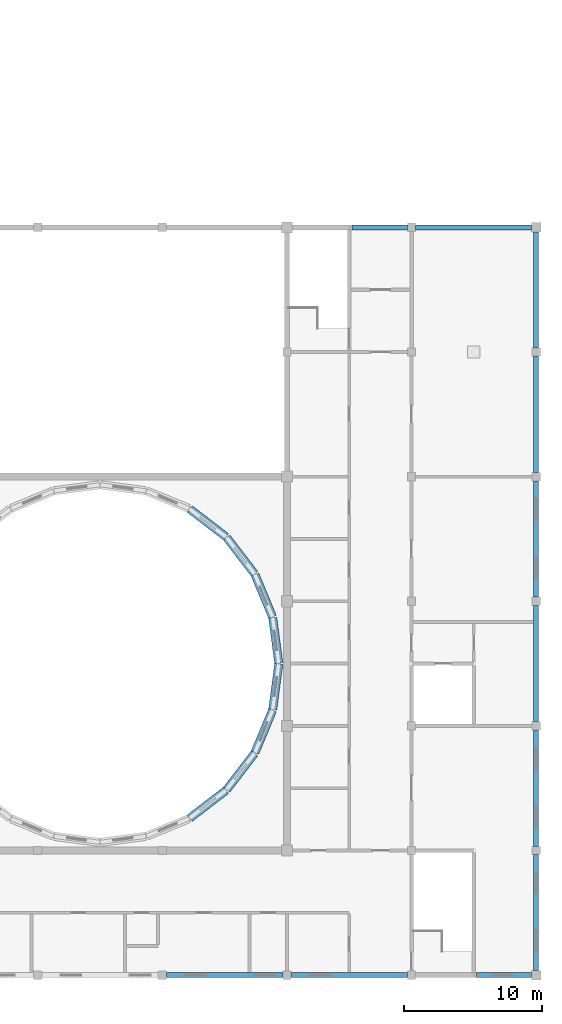
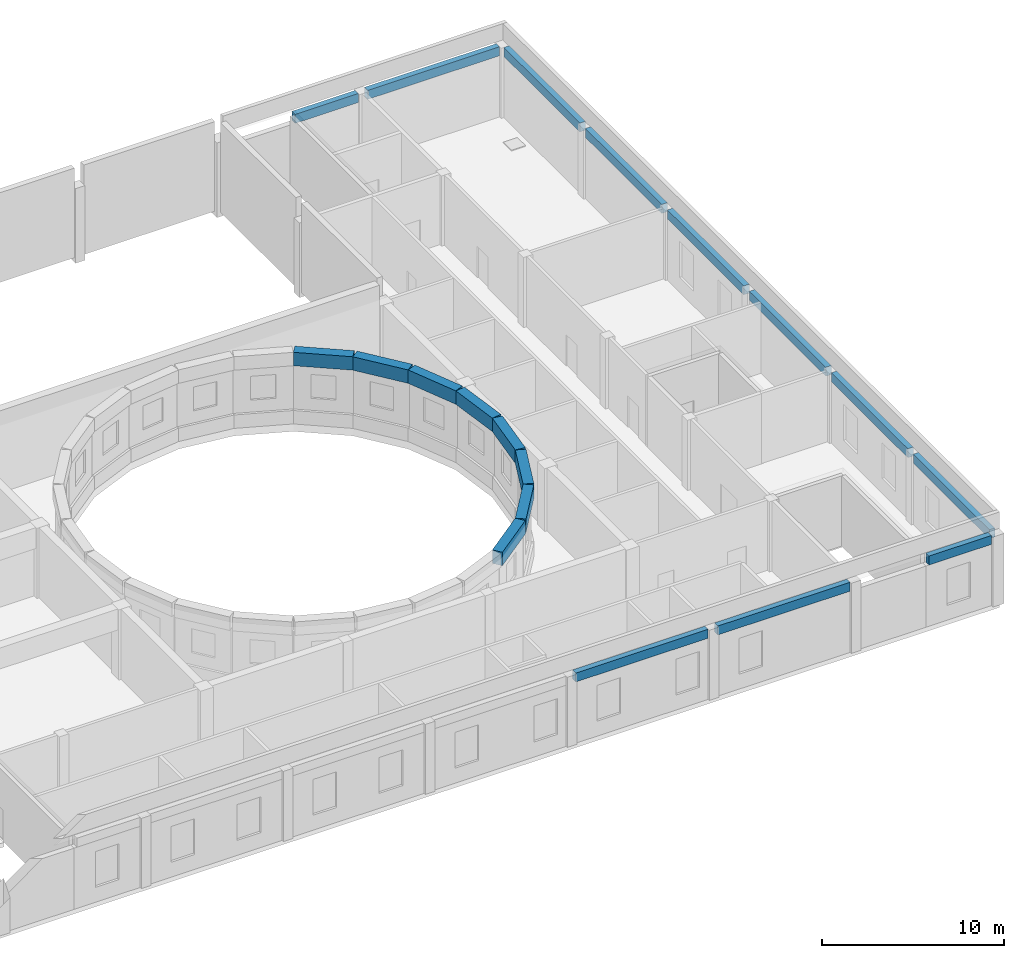
# One storey, part 12 of 35: 19 beams.
"""IFC4 building model written with IfcOpenShell, lengths in metres."""

from ifc_helpers import new_model, si_unit, direction, frame, origin, origin_2d, place, context, subcontext, project, spatial, rectangle, extrude, material, material_profile, profile_set, type_object, element, save


model = new_model("IFC4")

# Units and contexts
model_context = context("Model", 3, precision=1e-05, world=origin(), true_north=direction((0.0, 1.0)))
body_context = subcontext(model_context, "Body", "Model", "MODEL_VIEW")
ifc_project = project(units=[si_unit("LENGTHUNIT", "METRE"), si_unit("AREAUNIT", "SQUARE_METRE"), si_unit("VOLUMEUNIT", "CUBIC_METRE"), si_unit("PLANEANGLEUNIT", "RADIAN"), si_unit("MASSUNIT", "GRAM", prefix="KILO")], contexts=[model_context])

# Site, building, storey
site_placement = place(None, origin())
site = spatial("IfcSite", under=ifc_project, at=site_placement, CompositionType="ELEMENT")
building_placement = place(site_placement, origin())
building = spatial("IfcBuilding", under=site, at=building_placement, Name="Firuza Court", CompositionType="ELEMENT")
storey_placement = place(building_placement, frame((0.0, 0.0, 24.0)))
storey = spatial("IfcBuildingStorey", under=building, at=storey_placement, Name="L04", CompositionType="ELEMENT", Elevation=24.0)

# Beams
ifc_material_1 = material(Name="Concrete C40/50", Category="concrete")
ifc_material_profile_1 = material_profile(ifc_material_1, rectangle(XDim=0.60009765625, YDim=0.89990234375, at=origin_2d()), Name="RC 600X900 RING")
ifc_profile_set_1 = profile_set([ifc_material_profile_1], Name="Concrete C40/50")
beam_type_1 = type_object("IfcBeamType", Name="RC DRUM RING BEAM 600X900", PredefinedType="BEAM", material=ifc_profile_set_1)
for number, where, z_axis, x_axis, name in (
    (1, (134.4052734375, 13.5390625, 4.85009765625), (-0.130550451475, 0.99144166728, 0.0), (-0.99144166728, -0.130550451475, 0.0), "Drum ring beam 1"),
    (2, (133.955322265625, 16.8779296875, 4.85009765625), (-0.382681538037, 0.923880317165, 0.0), (-0.923880317165, -0.382681538037, 0.0), "Drum ring beam 2"),
    (3, (132.65673828125, 19.986572265625, 4.85009765625), (-0.608781872031, 0.79333765339, 0.0), (-0.79333765339, -0.608781872031, 0.0), "Drum ring beam 3"),
    (4, (130.59765625, 22.653076171875, 4.85009765625), (-0.79333765339, 0.608781872031, 0.0), (-0.608781872031, -0.79333765339, 0.0), "Drum ring beam 4"),
    (5, (127.986572265625, 2.34326171875, 4.85009765625), (0.79333765339, 0.608781872031, 0.0), (-0.608781872031, 0.79333765339, 0.0), "Drum ring beam 21"),
    (6, (130.653076171875, 4.40234375, 4.85009765625), (0.608781872031, 0.79333765339, 0.0), (-0.79333765339, 0.608781872031, 0.0), "Drum ring beam 22"),
    (7, (132.69580078125, 7.081298828125, 4.85009765625), (0.382681538037, 0.923880317165, 0.0), (-0.923880317165, 0.382681538037, 0.0), "Drum ring beam 23"),
    (8, (133.9755859375, 10.19775390625, 4.85009765625), (0.130550451475, 0.99144166728, 0.0), (-0.99144166728, 0.130550451475, 0.0), "Drum ring beam 24"),
):
    element("IfcBeam", number, at=place(storey_placement, frame(where, z_axis=z_axis, x_axis=x_axis)), inside=storey, type_object=beam_type_1, Name=name, PredefinedType="BEAM", context=body_context, shape_type="SweptSolid", body=[
        extrude(rectangle(XDim=0.60009765625, YDim=0.89990234375, at=origin_2d()), origin(), (0.0, 0.0, 1.0), 3.291259765625),
    ])
ifc_material_2 = material(Name="Concrete C40/50", Category="concrete")
ifc_material_profile_2 = material_profile(ifc_material_2, rectangle(XDim=0.35009765625, YDim=0.60009765625, at=origin_2d()), Name="RC 350X600")
ifc_profile_set_2 = profile_set([ifc_material_profile_2], Name="Concrete C40/50")
beam_type_2 = type_object("IfcBeamType", Name="RC RING BEAM 350X600", PredefinedType="BEAM", material=ifc_profile_set_2)
for number, where, z_axis, x_axis, name in (
    (9, (126.300048828125, -9.0, 4.39990234375), (1.0, 0.0, 0.0), (0.0, 1.0, 0.0), "Edge beam S2.1 L04"),
    (10, (135.300048828125, -9.0, 4.39990234375), (1.0, 0.0, 0.0), (0.0, 1.0, 0.0), "Edge beam S4.1 L04"),
):
    element("IfcBeam", number, at=place(storey_placement, frame(where, z_axis=z_axis, x_axis=x_axis)), inside=storey, type_object=beam_type_2, Name=name, PredefinedType="BEAM", context=body_context, shape_type="SweptSolid", body=[
        extrude(rectangle(XDim=0.35009765625, YDim=0.60009765625, at=origin_2d()), origin(), (0.0, 0.0, 1.0), 8.39990234375),
    ])
beam_1_placement = place(storey_placement, frame((139.699951171875, 45.0, 4.39990234375), z_axis=(1.0, 0.0, 0.0), x_axis=(0.0, 1.0, 0.0)))
element("IfcBeam", 11, at=beam_1_placement, inside=storey, type_object=beam_type_2, Name="Edge beam N5.1 L04", PredefinedType="BEAM", context=body_context, shape_type="SweptSolid", body=[
    extrude(rectangle(XDim=0.35009765625, YDim=0.60009765625, at=origin_2d()), origin(), (0.0, 0.0, 1.0), 4.0),
])
beam_2_placement = place(storey_placement, frame((148.699951171875, -9.0, 4.39990234375), z_axis=(1.0, 0.0, 0.0), x_axis=(0.0, 1.0, 0.0)))
element("IfcBeam", 12, at=beam_2_placement, inside=storey, type_object=beam_type_2, Name="Edge beam S6.1 L04", PredefinedType="BEAM", context=body_context, shape_type="SweptSolid", body=[
    extrude(rectangle(XDim=0.35009765625, YDim=0.60009765625, at=origin_2d()), origin(), (0.0, 0.0, 1.0), 3.949951171875),
])
for number, where, z_axis, x_axis, name in (
    (13, (144.300048828125, 45.0, 4.39990234375), (1.0, 0.0, 0.0), (0.0, 1.0, 0.0), "Edge beam N7.1 L04"),
    (14, (153.0, -8.64990234375, 4.39990234375), (0.0, 1.0, 0.0), (-1.0, 0.0, 0.0), "Edge beam E2.1 L04"),
):
    element("IfcBeam", number, at=place(storey_placement, frame(where, z_axis=z_axis, x_axis=x_axis)), inside=storey, type_object=beam_type_2, Name=name, PredefinedType="BEAM", context=body_context, shape_type="SweptSolid", body=[
        extrude(rectangle(XDim=0.35009765625, YDim=0.60009765625, at=origin_2d()), origin(), (0.0, 0.0, 1.0), 8.349853515625),
    ])
for number, where, z_axis, x_axis, name in (
    (15, (153.0, 0.300048828125, 4.39990234375), (0.0, 1.0, 0.0), (-1.0, 0.0, 0.0), "Edge beam E4.1 L04"),
    (16, (153.0, 9.300048828125, 4.39990234375), (0.0, 1.0, 0.0), (-1.0, 0.0, 0.0), "Edge beam E6.1 L04"),
    (17, (153.0, 18.300048828125, 4.39990234375), (0.0, 1.0, 0.0), (-1.0, 0.0, 0.0), "Edge beam E1.1 L04"),
    (18, (153.0, 27.300048828125, 4.39990234375), (0.0, 1.0, 0.0), (-1.0, 0.0, 0.0), "Edge beam E3.1 L04"),
):
    element("IfcBeam", number, at=place(storey_placement, frame(where, z_axis=z_axis, x_axis=x_axis)), inside=storey, type_object=beam_type_2, Name=name, PredefinedType="BEAM", context=body_context, shape_type="SweptSolid", body=[
        extrude(rectangle(XDim=0.35009765625, YDim=0.60009765625, at=origin_2d()), origin(), (0.0, 0.0, 1.0), 8.39990234375),
    ])
beam_3_placement = place(storey_placement, frame((153.0, 36.300048828125, 4.39990234375), z_axis=(0.0, 1.0, 0.0), x_axis=(-1.0, 0.0, 0.0)))
element("IfcBeam", 19, at=beam_3_placement, inside=storey, type_object=beam_type_2, Name="Edge beam E5.1 L04", PredefinedType="BEAM", context=body_context, shape_type="SweptSolid", body=[
    extrude(rectangle(XDim=0.35009765625, YDim=0.60009765625, at=origin_2d()), origin(), (0.0, 0.0, 1.0), 8.349853515625),
])

save(model, "model.ifc")
